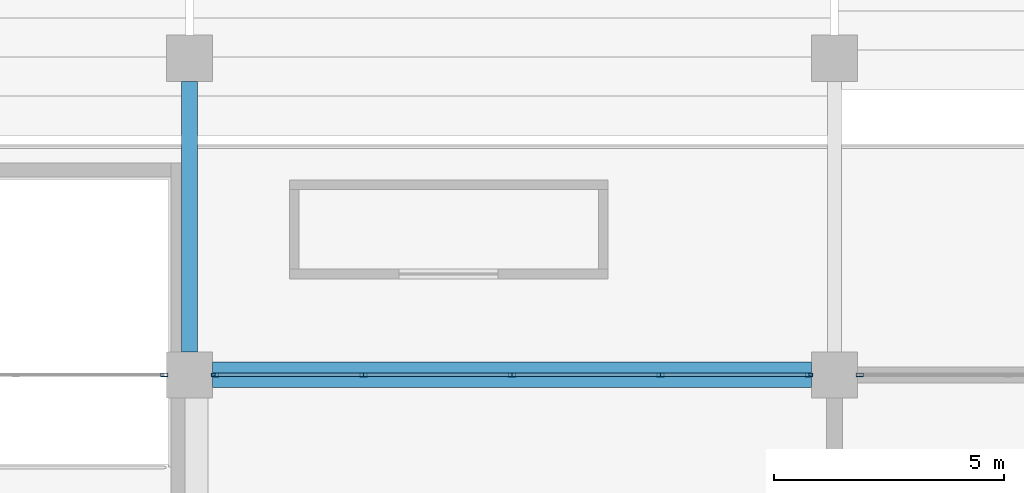
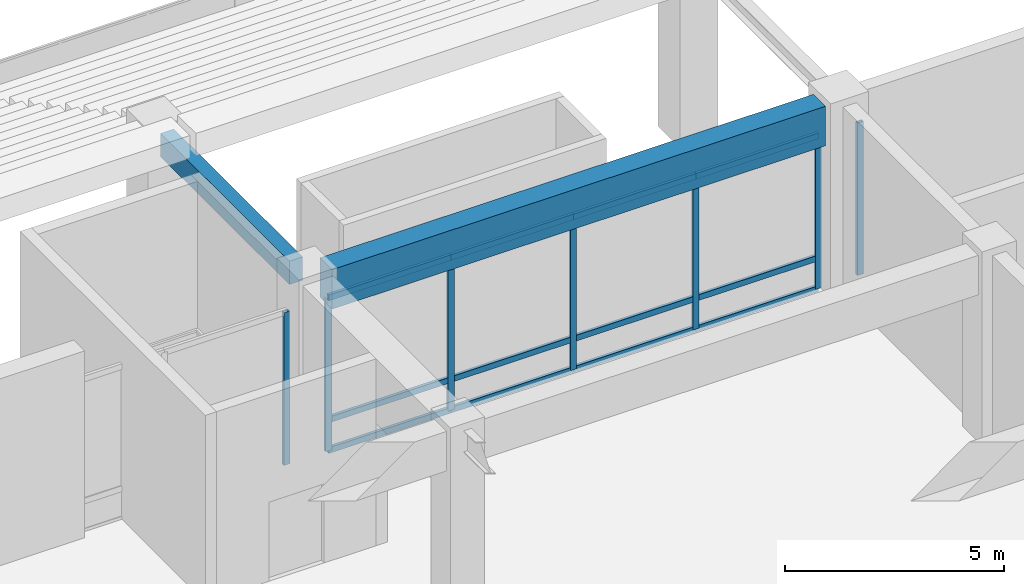
# One storey, part 36 of 117: 19 members, 2 beams, 3 elements without a shape of their own.
"""IFC4 building model written with IfcOpenShell, lengths in metres."""

from ifc_helpers import new_model, si_unit, direction, frame, origin, origin_2d, place, context, subcontext, project, spatial, rectangle, hollow_rectangle, extrude, material, material_profile, profile_set, type_object, element, aggregate, save


model = new_model("IFC4")

# Units and contexts
model_context = context("Model", 3, precision=1e-05, world=origin(), true_north=direction((0.0, 1.0)))
body_context = subcontext(model_context, "Body", "Model", "MODEL_VIEW")
ifc_project = project(units=[si_unit("LENGTHUNIT", "METRE"), si_unit("AREAUNIT", "SQUARE_METRE"), si_unit("VOLUMEUNIT", "CUBIC_METRE"), si_unit("PLANEANGLEUNIT", "RADIAN"), si_unit("MASSUNIT", "GRAM", prefix="KILO")], contexts=[model_context])

# Site, building, storey
site_placement = place(None, origin())
site = spatial("IfcSite", under=ifc_project, at=site_placement, CompositionType="ELEMENT")
building_placement = place(site_placement, origin())
building = spatial("IfcBuilding", under=site, at=building_placement, Name="Linyun Crest Stadium", CompositionType="ELEMENT")
storey_placement = place(building_placement, frame((0.0, 0.0, 6.0)))
storey = spatial("IfcBuildingStorey", under=building, at=storey_placement, Name="L02", CompositionType="ELEMENT", Elevation=6.0)

# Beam
ifc_material_1 = material(Name="Concrete C40", Category="concrete")
ifc_material_profile_1 = material_profile(ifc_material_1, rectangle(XDim=0.35009765625, YDim=0.64990234375, at=origin_2d()), Name="RCB 650x350")
ifc_profile_set_1 = profile_set([ifc_material_profile_1], Name="Concrete C40")
beam_type_1 = type_object("IfcBeamType", Name="B02", PredefinedType="BEAM", material=ifc_profile_set_1)
beam_1_placement = place(storey_placement, frame((0.0, -73.0, 4.875), z_axis=(0.0, 1.0, 0.0), x_axis=(-1.0, 0.0, 0.0)))
element("IfcBeam", 1, at=beam_1_placement, inside=storey, type_object=beam_type_1, Name="Frame beam B02 L02 918", PredefinedType="BEAM", context=body_context, shape_type="SweptSolid", body=[
    extrude(rectangle(XDim=0.35009765625, YDim=0.64990234375, at=origin_2d()), origin(), (0.0, 0.0, 1.0), 5.875),
])

# Curtain wall, member
ifc_material_2 = material(Name="Verdigris steel and low-E curtain wall assembly", Category="steel")
curtain_wall_type = type_object("IfcCurtainWallType", Name="MCW03", PredefinedType="NOTDEFINED", material=ifc_material_2)
curtain_wall_1_placement = place(storey_placement, origin())
curtain_wall_1 = element("IfcCurtainWall", 2, at=curtain_wall_1_placement, inside=storey, type_object=curtain_wall_type, Name="CWR-138", PredefinedType="NOTDEFINED")
ifc_material_3 = material(Name="Aluminium thermally broken mullion", Category="aluminium")
ifc_material_profile_2 = material_profile(ifc_material_3, hollow_rectangle(XDim=0.080078125, YDim=0.159912109375, WallThickness=0.006103515625, at=origin_2d()), Name="RHS 160x80x6")
ifc_profile_set_2 = profile_set([ifc_material_profile_2], Name="Aluminium thermally broken mullion")
member_type_1 = type_object("IfcMemberType", Name="ML01", PredefinedType="MULLION", material=ifc_profile_set_2)
member_1_placement = place(storey_placement, frame((-0.550048828125, -73.5, 0.0), z_axis=(0.0, 0.0, 1.0), x_axis=(0.0, 1.0, 0.0)))
member_1 = element("IfcMember", 3, at=member_1_placement, type_object=member_type_1, Name="CWR-138 mullion 5", PredefinedType="MULLION", context=body_context, shape_type="SweptSolid", body=[
    extrude(hollow_rectangle(XDim=0.080078125, YDim=0.159912109375, WallThickness=0.006103515625, at=origin_2d()), origin(), (0.0, 0.0, 1.0), 4.25),
])
aggregate(curtain_wall_1, [member_1])

# Curtain wall, members
curtain_wall_2_placement = place(storey_placement, origin())
curtain_wall_2 = element("IfcCurtainWall", 4, at=curtain_wall_2_placement, inside=storey, type_object=curtain_wall_type, Name="CWR-145", PredefinedType="NOTDEFINED")
member_2_placement = place(storey_placement, frame((0.550048828125, -73.5, 0.0), z_axis=(0.0, 0.0, 1.0), x_axis=(0.0, 1.0, 0.0)))
member_2 = element("IfcMember", 5, at=member_2_placement, type_object=member_type_1, Name="CWR-145 mullion 1", PredefinedType="MULLION", context=body_context, shape_type="SweptSolid", body=[
    extrude(hollow_rectangle(XDim=0.080078125, YDim=0.159912109375, WallThickness=0.006103515625, at=origin_2d()), origin(), (0.0, 0.0, 1.0), 4.25),
])
member_3_placement = place(storey_placement, frame((3.77490234375, -73.5, 0.0), z_axis=(0.0, 0.0, 1.0), x_axis=(0.0, 1.0, 0.0)))
member_3 = element("IfcMember", 6, at=member_3_placement, type_object=member_type_1, Name="CWR-145 mullion 2", PredefinedType="MULLION", context=body_context, shape_type="SweptSolid", body=[
    extrude(hollow_rectangle(XDim=0.080078125, YDim=0.159912109375, WallThickness=0.006103515625, at=origin_2d()), origin(), (0.0, 0.0, 1.0), 4.25),
])
member_4_placement = place(storey_placement, frame((7.0, -73.5, 0.0), z_axis=(0.0, 0.0, 1.0), x_axis=(0.0, 1.0, 0.0)))
member_4 = element("IfcMember", 7, at=member_4_placement, type_object=member_type_1, Name="CWR-145 mullion 3", PredefinedType="MULLION", context=body_context, shape_type="SweptSolid", body=[
    extrude(hollow_rectangle(XDim=0.080078125, YDim=0.159912109375, WallThickness=0.006103515625, at=origin_2d()), origin(), (0.0, 0.0, 1.0), 4.25),
])
member_5_placement = place(storey_placement, frame((10.22509765625, -73.5, 0.0), z_axis=(0.0, 0.0, 1.0), x_axis=(0.0, 1.0, 0.0)))
member_5 = element("IfcMember", 8, at=member_5_placement, type_object=member_type_1, Name="CWR-145 mullion 4", PredefinedType="MULLION", context=body_context, shape_type="SweptSolid", body=[
    extrude(hollow_rectangle(XDim=0.080078125, YDim=0.159912109375, WallThickness=0.006103515625, at=origin_2d()), origin(), (0.0, 0.0, 1.0), 4.25),
])
member_6_placement = place(storey_placement, frame((13.449951171875, -73.5, 0.0), z_axis=(0.0, 0.0, 1.0), x_axis=(0.0, 1.0, 0.0)))
member_6 = element("IfcMember", 9, at=member_6_placement, type_object=member_type_1, Name="CWR-145 mullion 5", PredefinedType="MULLION", context=body_context, shape_type="SweptSolid", body=[
    extrude(hollow_rectangle(XDim=0.080078125, YDim=0.159912109375, WallThickness=0.006103515625, at=origin_2d()), origin(), (0.0, 0.0, 1.0), 4.25),
])

# Curtain wall, member
curtain_wall_3_placement = place(storey_placement, origin())
curtain_wall_3 = element("IfcCurtainWall", 10, at=curtain_wall_3_placement, inside=storey, type_object=curtain_wall_type, Name="CWR-152", PredefinedType="NOTDEFINED")
member_7_placement = place(storey_placement, frame((14.550048828125, -73.5, 0.0), z_axis=(0.0, 0.0, 1.0), x_axis=(0.0, 1.0, 0.0)))
member_7 = element("IfcMember", 11, at=member_7_placement, type_object=member_type_1, Name="CWR-152 mullion 1", PredefinedType="MULLION", context=body_context, shape_type="SweptSolid", body=[
    extrude(hollow_rectangle(XDim=0.080078125, YDim=0.159912109375, WallThickness=0.006103515625, at=origin_2d()), origin(), (0.0, 0.0, 1.0), 4.25),
])
aggregate(curtain_wall_3, [member_7])

# Beam
ifc_material_4 = material(Name="Concrete C50", Category="concrete")
ifc_material_profile_3 = material_profile(ifc_material_4, rectangle(XDim=0.550048828125, YDim=1.10009765625, at=origin_2d()), Name="RCB 1100x550")
ifc_profile_set_3 = profile_set([ifc_material_profile_3], Name="Concrete C50")
beam_type_2 = type_object("IfcBeamType", Name="TB01", PredefinedType="USERDEFINED", material=ifc_profile_set_3)
beam_2_placement = place(storey_placement, frame((0.5, -73.5, 4.64990234375), z_axis=(1.0, 0.0, 0.0), x_axis=(0.0, 1.0, 0.0)))
element("IfcBeam", 12, at=beam_2_placement, inside=storey, type_object=beam_type_2, Name="Frame beam TB01 L02 910", ObjectType="GIRDER", PredefinedType="USERDEFINED", context=body_context, shape_type="SweptSolid", body=[
    extrude(rectangle(XDim=0.550048828125, YDim=1.10009765625, at=origin_2d()), origin(), (0.0, 0.0, 1.0), 13.0),
])

# Member
ifc_material_5 = material(Name="Aluminium thermally broken transom", Category="aluminium")
ifc_material_profile_4 = material_profile(ifc_material_5, hollow_rectangle(XDim=0.080078125, YDim=0.159912109375, WallThickness=0.006103515625, at=origin_2d()), Name="RHS 160x80x6")
ifc_profile_set_4 = profile_set([ifc_material_profile_4], Name="Aluminium thermally broken transom")
member_type_2 = type_object("IfcMemberType", Name="TR01", PredefinedType="USERDEFINED", material=ifc_profile_set_4)
member_8_placement = place(storey_placement, frame((0.550048828125, -73.5, 0.0), z_axis=(1.0, 0.0, 0.0), x_axis=(0.0, 1.0, 0.0)))
member_8 = element("IfcMember", 13, at=member_8_placement, type_object=member_type_2, Name="CWR-145 transom 1.1", ObjectType="TRANSOM", PredefinedType="USERDEFINED", context=body_context, shape_type="SweptSolid", body=[
    extrude(hollow_rectangle(XDim=0.080078125, YDim=0.159912109375, WallThickness=0.006103515625, at=origin_2d()), origin(), (0.0, 0.0, 1.0), 3.224853515625),
])

member_9_placement = place(storey_placement, frame((0.550048828125, -73.5, 0.85009765625), z_axis=(1.0, 0.0, 0.0), x_axis=(0.0, 1.0, 0.0)))
member_9 = element("IfcMember", 14, at=member_9_placement, type_object=member_type_2, Name="CWR-145 transom 1.2", ObjectType="TRANSOM", PredefinedType="USERDEFINED", context=body_context, shape_type="SweptSolid", body=[
    extrude(hollow_rectangle(XDim=0.080078125, YDim=0.159912109375, WallThickness=0.006103515625, at=origin_2d()), origin(), (0.0, 0.0, 1.0), 3.224853515625),
])

member_10_placement = place(storey_placement, frame((0.550048828125, -73.5, 4.25), z_axis=(1.0, 0.0, 0.0), x_axis=(0.0, 1.0, 0.0)))
member_10 = element("IfcMember", 15, at=member_10_placement, type_object=member_type_2, Name="CWR-145 transom 1.3", ObjectType="TRANSOM", PredefinedType="USERDEFINED", context=body_context, shape_type="SweptSolid", body=[
    extrude(hollow_rectangle(XDim=0.080078125, YDim=0.159912109375, WallThickness=0.006103515625, at=origin_2d()), origin(), (0.0, 0.0, 1.0), 3.224853515625),
])

member_11_placement = place(storey_placement, frame((3.77490234375, -73.5, 0.0), z_axis=(1.0, 0.0, 0.0), x_axis=(0.0, 1.0, 0.0)))
member_11 = element("IfcMember", 16, at=member_11_placement, type_object=member_type_2, Name="CWR-145 transom 2.1", ObjectType="TRANSOM", PredefinedType="USERDEFINED", context=body_context, shape_type="SweptSolid", body=[
    extrude(hollow_rectangle(XDim=0.080078125, YDim=0.159912109375, WallThickness=0.006103515625, at=origin_2d()), origin(), (0.0, 0.0, 1.0), 3.22509765625),
])

member_12_placement = place(storey_placement, frame((3.77490234375, -73.5, 0.85009765625), z_axis=(1.0, 0.0, 0.0), x_axis=(0.0, 1.0, 0.0)))
member_12 = element("IfcMember", 17, at=member_12_placement, type_object=member_type_2, Name="CWR-145 transom 2.2", ObjectType="TRANSOM", PredefinedType="USERDEFINED", context=body_context, shape_type="SweptSolid", body=[
    extrude(hollow_rectangle(XDim=0.080078125, YDim=0.159912109375, WallThickness=0.006103515625, at=origin_2d()), origin(), (0.0, 0.0, 1.0), 3.22509765625),
])

member_13_placement = place(storey_placement, frame((3.77490234375, -73.5, 4.25), z_axis=(1.0, 0.0, 0.0), x_axis=(0.0, 1.0, 0.0)))
member_13 = element("IfcMember", 18, at=member_13_placement, type_object=member_type_2, Name="CWR-145 transom 2.3", ObjectType="TRANSOM", PredefinedType="USERDEFINED", context=body_context, shape_type="SweptSolid", body=[
    extrude(hollow_rectangle(XDim=0.080078125, YDim=0.159912109375, WallThickness=0.006103515625, at=origin_2d()), origin(), (0.0, 0.0, 1.0), 3.22509765625),
])

member_14_placement = place(storey_placement, frame((7.0, -73.5, 0.0), z_axis=(1.0, 0.0, 0.0), x_axis=(0.0, 1.0, 0.0)))
member_14 = element("IfcMember", 19, at=member_14_placement, type_object=member_type_2, Name="CWR-145 transom 3.1", ObjectType="TRANSOM", PredefinedType="USERDEFINED", context=body_context, shape_type="SweptSolid", body=[
    extrude(hollow_rectangle(XDim=0.080078125, YDim=0.159912109375, WallThickness=0.006103515625, at=origin_2d()), origin(), (0.0, 0.0, 1.0), 3.22509765625),
])

member_15_placement = place(storey_placement, frame((7.0, -73.5, 0.85009765625), z_axis=(1.0, 0.0, 0.0), x_axis=(0.0, 1.0, 0.0)))
member_15 = element("IfcMember", 20, at=member_15_placement, type_object=member_type_2, Name="CWR-145 transom 3.2", ObjectType="TRANSOM", PredefinedType="USERDEFINED", context=body_context, shape_type="SweptSolid", body=[
    extrude(hollow_rectangle(XDim=0.080078125, YDim=0.159912109375, WallThickness=0.006103515625, at=origin_2d()), origin(), (0.0, 0.0, 1.0), 3.22509765625),
])

member_16_placement = place(storey_placement, frame((7.0, -73.5, 4.25), z_axis=(1.0, 0.0, 0.0), x_axis=(0.0, 1.0, 0.0)))
member_16 = element("IfcMember", 21, at=member_16_placement, type_object=member_type_2, Name="CWR-145 transom 3.3", ObjectType="TRANSOM", PredefinedType="USERDEFINED", context=body_context, shape_type="SweptSolid", body=[
    extrude(hollow_rectangle(XDim=0.080078125, YDim=0.159912109375, WallThickness=0.006103515625, at=origin_2d()), origin(), (0.0, 0.0, 1.0), 3.22509765625),
])

member_17_placement = place(storey_placement, frame((10.22509765625, -73.5, 0.0), z_axis=(1.0, 0.0, 0.0), x_axis=(0.0, 1.0, 0.0)))
member_17 = element("IfcMember", 22, at=member_17_placement, type_object=member_type_2, Name="CWR-145 transom 4.1", ObjectType="TRANSOM", PredefinedType="USERDEFINED", context=body_context, shape_type="SweptSolid", body=[
    extrude(hollow_rectangle(XDim=0.080078125, YDim=0.159912109375, WallThickness=0.006103515625, at=origin_2d()), origin(), (0.0, 0.0, 1.0), 3.224853515625),
])

member_18_placement = place(storey_placement, frame((10.22509765625, -73.5, 0.85009765625), z_axis=(1.0, 0.0, 0.0), x_axis=(0.0, 1.0, 0.0)))
member_18 = element("IfcMember", 23, at=member_18_placement, type_object=member_type_2, Name="CWR-145 transom 4.2", ObjectType="TRANSOM", PredefinedType="USERDEFINED", context=body_context, shape_type="SweptSolid", body=[
    extrude(hollow_rectangle(XDim=0.080078125, YDim=0.159912109375, WallThickness=0.006103515625, at=origin_2d()), origin(), (0.0, 0.0, 1.0), 3.224853515625),
])

member_19_placement = place(storey_placement, frame((10.22509765625, -73.5, 4.25), z_axis=(1.0, 0.0, 0.0), x_axis=(0.0, 1.0, 0.0)))
member_19 = element("IfcMember", 24, at=member_19_placement, type_object=member_type_2, Name="CWR-145 transom 4.3", ObjectType="TRANSOM", PredefinedType="USERDEFINED", context=body_context, shape_type="SweptSolid", body=[
    extrude(hollow_rectangle(XDim=0.080078125, YDim=0.159912109375, WallThickness=0.006103515625, at=origin_2d()), origin(), (0.0, 0.0, 1.0), 3.224853515625),
])

aggregate(curtain_wall_2, [member_2, member_3, member_4, member_5, member_6, member_8, member_9, member_10, member_11, member_12, member_13, member_14, member_15, member_16, member_17, member_18, member_19])

save(model, "model.ifc")
